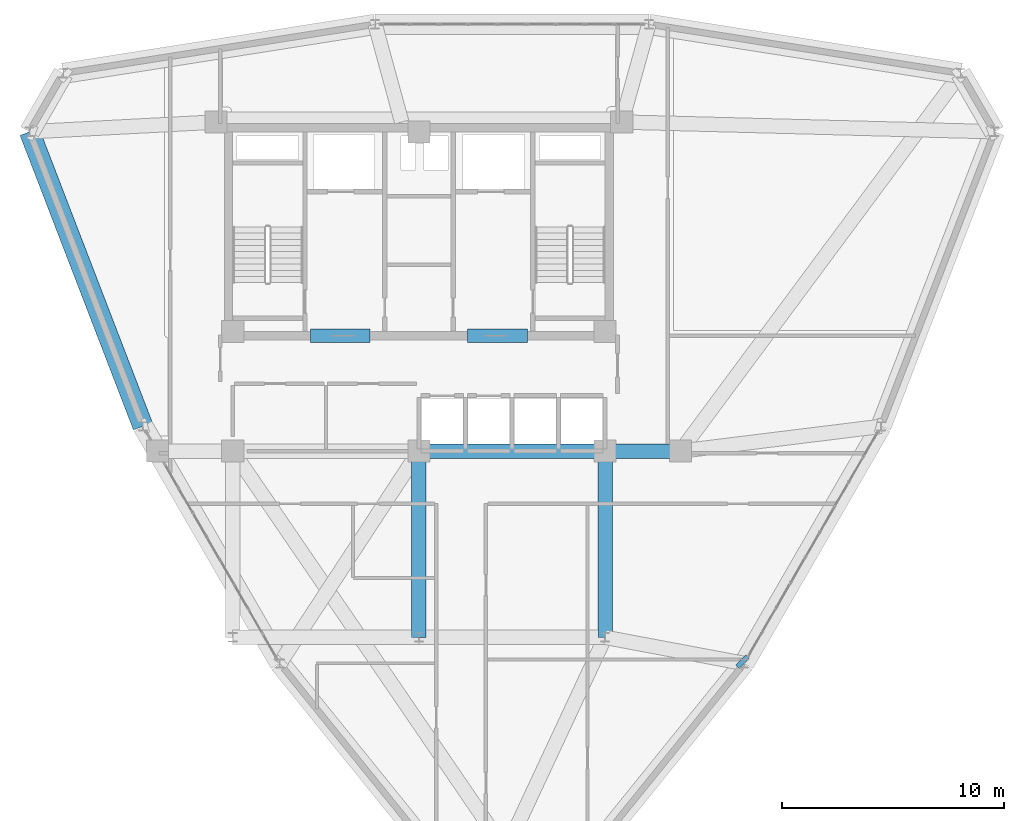
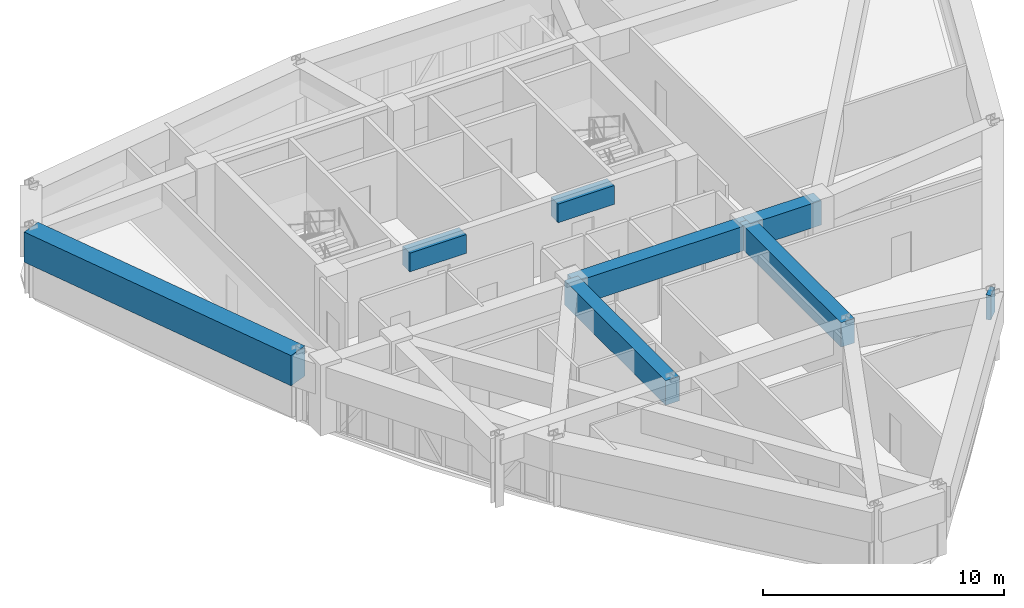
# One storey, part 5 of 16: 8 beams.
"""IFC4 building model written with IfcOpenShell, lengths in metres."""

from ifc_helpers import new_model, si_unit, derived_unit, direction, frame, origin, origin_2d, place, context, subcontext, project, spatial, rectangle, extrude, source, transform, mapped, material, material_profile, profile_set, type_object, element, save


model = new_model("IFC4")

# Units and contexts
model_context = context("Model", 3, precision=1e-05, world=origin(), true_north=direction((0.0, 1.0)))
body_context = subcontext(model_context, "Body", "Model", "MODEL_VIEW")
ifc_project = project(units=[si_unit("LENGTHUNIT", "METRE"), si_unit("AREAUNIT", "SQUARE_METRE"), si_unit("VOLUMEUNIT", "CUBIC_METRE"), si_unit("PLANEANGLEUNIT", "RADIAN"), si_unit("MASSUNIT", "GRAM", prefix="KILO"), derived_unit("THERMALTRANSMITTANCEUNIT", [(si_unit("POWERUNIT", "WATT"), 1), (si_unit("LENGTHUNIT", "METRE"), -2), (si_unit("THERMODYNAMICTEMPERATUREUNIT", "KELVIN"), -1)])], contexts=[model_context])

# Site, building, storey
site_placement = place(None, origin())
site = spatial("IfcSite", under=ifc_project, at=site_placement, CompositionType="ELEMENT")
building_placement = place(site_placement, origin())
building = spatial("IfcBuilding", under=site, at=building_placement, Name="Korsvarv Bourse and Concert Hall", CompositionType="ELEMENT")
storey_placement = place(building_placement, frame((0.0, 0.0, 213.0)))
storey = spatial("IfcBuildingStorey", under=building, at=storey_placement, Name="L55", CompositionType="ELEMENT", Elevation=213.0)

# Beams
ifc_material_1 = material(Name="Concrete C55/67", Category="concrete")
ifc_material_profile_1 = material_profile(ifc_material_1, rectangle(XDim=0.60009765625, YDim=0.949951171875, at=origin_2d()), Name="RC-BM 600x950")
ifc_profile_set_1 = profile_set([ifc_material_profile_1], Name="Concrete C55/67")
beam_type_1 = type_object("IfcBeamType", Name="BM-CPL", PredefinedType="LINTEL", material=ifc_profile_set_1)
shared_shape_1 = source(origin(), body_context, "Body", "SweptSolid", [
    extrude(rectangle(XDim=0.60009765625, YDim=0.949951171875, at=origin_2d()), origin(), (0.0, 0.0, 1.0), 2.699951171875),
])
for number, where, z_axis, x_axis, name in (
    (1, (31.10009765625, 37.610107421875, 2.93505859375), (1.0, 0.0, 0.0), (0.0, 1.0, 0.0), "L55 Core Coupling Beam West"),
    (2, (38.199951171875, 37.610107421875, 2.93505859375), (1.0, 0.0, 0.0), (0.0, 1.0, 0.0), "L55 Core Coupling Beam East"),
):
    element("IfcBeam", number, at=place(storey_placement, frame(where, z_axis=z_axis, x_axis=x_axis)), inside=storey, type_object=beam_type_1, Name=name, PredefinedType="LINTEL", context=body_context, shape_type="MappedRepresentation", body=[
        mapped(shared_shape_1, transform((0.0, 0.0, 0.0), scale=1.0)),
    ])
ifc_material_2 = material(Name="Concrete C50/60", Category="concrete")
ifc_material_profile_2 = material_profile(ifc_material_2, rectangle(XDim=0.64990234375, YDim=1.239990234375, at=origin_2d()), Name="RC-BM 650x1240")
ifc_profile_set_2 = profile_set([ifc_material_profile_2], Name="Concrete C50/60")
beam_type_2 = type_object("IfcBeamType", Name="BM-TR-SPN", PredefinedType="BEAM", material=ifc_profile_set_2)
shared_shape_2 = source(origin(), body_context, "Body", "SweptSolid", [
    extrude(rectangle(XDim=0.64990234375, YDim=1.239990234375, at=origin_2d()), origin(), (0.0, 0.0, 1.0), 3.400146484375),
])
beam_1_placement = place(storey_placement, frame((44.39990234375, 32.39990234375, 2.7900390625), z_axis=(1.0, 0.0, 0.0), x_axis=(0.0, 1.0, 0.0)))
element("IfcBeam", 3, at=beam_1_placement, inside=storey, type_object=beam_type_2, Name="L55 beam B-TRS", PredefinedType="BEAM", context=body_context, shape_type="MappedRepresentation", body=[
    mapped(shared_shape_2, transform((0.0, 0.0, 0.0), scale=1.0)),
])
shared_shape_3 = source(origin(), body_context, "Body", "SweptSolid", [
    extrude(rectangle(XDim=0.64990234375, YDim=1.239990234375, at=origin_2d()), origin(), (0.0, 0.0, 1.0), 8.39990234375),
])
for number, where, z_axis, x_axis, name in (
    (4, (36.0, 32.39990234375, 2.7900390625), (1.0, 0.0, 0.0), (0.0, 1.0, 0.0), "L55 beam B-TRS"),
    (5, (36.0, 24.0, 2.7900390625), (0.0, 1.0, 0.0), (-1.0, 0.0, 0.0), "L55 beam B-TRS"),
    (6, (44.39990234375, 24.0, 2.7900390625), (0.0, 1.0, 0.0), (-1.0, 0.0, 0.0), "L55 beam B-TRS"),
):
    element("IfcBeam", number, at=place(storey_placement, frame(where, z_axis=z_axis, x_axis=x_axis)), inside=storey, type_object=beam_type_2, Name=name, PredefinedType="BEAM", context=body_context, shape_type="MappedRepresentation", body=[
        mapped(shared_shape_3, transform((0.0, 0.0, 0.0), scale=1.0)),
    ])
ifc_material_profile_3 = material_profile(ifc_material_2, rectangle(XDim=0.919921875, YDim=1.530029296875, at=origin_2d()), Name="RC-BM 920x1530")
ifc_profile_set_3 = profile_set([ifc_material_profile_3], Name="Concrete C50/60")
beam_type_3 = type_object("IfcBeamType", Name="BM-TR-154", PredefinedType="BEAM", material=ifc_profile_set_3)
shared_shape_4 = source(origin(), body_context, "Body", "SweptSolid", [
    extrude(rectangle(XDim=0.919921875, YDim=1.530029296875, at=origin_2d()), origin(), (0.0, 0.0, 1.0), 14.244140625),
])
beam_2_placement = place(storey_placement, frame((18.429931640625, 46.811279296875, 2.64501953125), z_axis=(0.359314426727, -0.933216557261, 0.0), x_axis=(0.933216557261, 0.359314426727, 0.0)))
element("IfcBeam", 7, at=beam_2_placement, inside=storey, type_object=beam_type_3, Name="L55 beam B-TR6", PredefinedType="BEAM", context=body_context, shape_type="MappedRepresentation", body=[
    mapped(shared_shape_4, transform((0.0, 0.0, 0.0), scale=1.0)),
])
shared_shape_5 = source(origin(), body_context, "Body", "SweptSolid", [
    extrude(rectangle(XDim=0.64990234375, YDim=1.239990234375, at=origin_2d()), origin(), (0.0, 0.0, 1.0), 0.219482421875),
])
beam_3_placement = place(storey_placement, frame((50.675048828125, 22.820068359375, 2.7900390625), z_axis=(-0.704319636651, 0.709882982912, 0.0), x_axis=(-0.709882982912, -0.704319636651, 0.0)))
element("IfcBeam", 8, at=beam_3_placement, inside=storey, type_object=beam_type_2, Name="L55 beam B-TRS", PredefinedType="BEAM", context=body_context, shape_type="MappedRepresentation", body=[
    mapped(shared_shape_5, transform((0.0, 0.0, 0.0), scale=1.0)),
])

save(model, "model.ifc")
